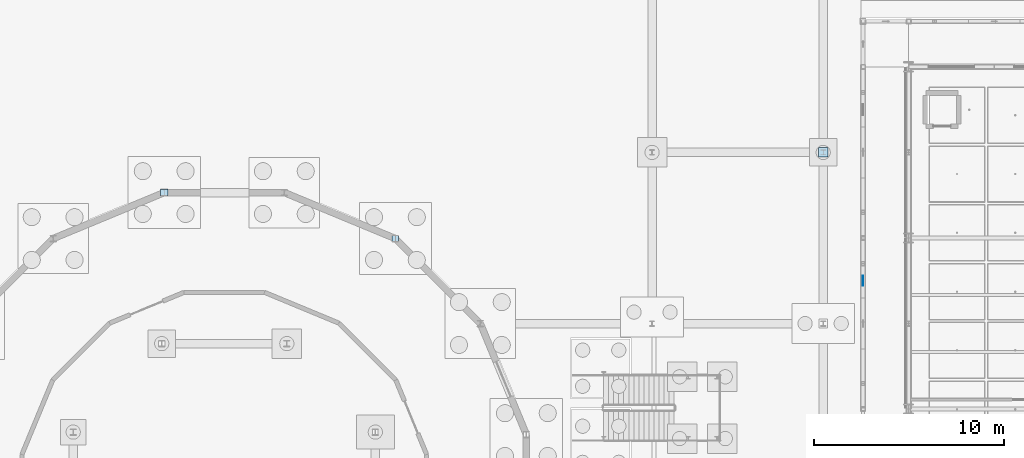
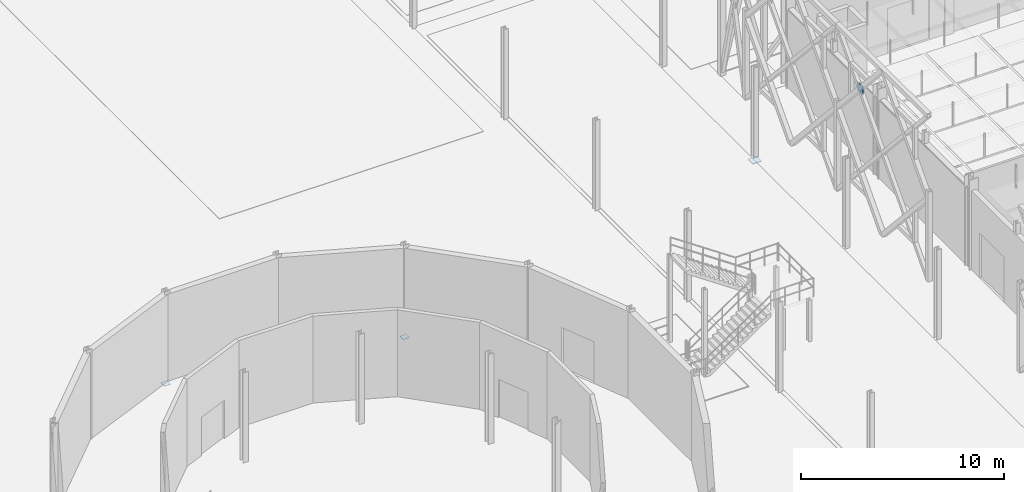
# One storey, part 79 of 180: 4 plates.
"""IFC4 building model written with IfcOpenShell, lengths in metres."""

from ifc_helpers import new_model, si_unit, direction, frame, origin, origin_2d, place, context, subcontext, project, spatial, rectangle, extrude, material, layer, layer_set, type_object, element, save


model = new_model("IFC4")

# Units and contexts
model_context = context("Model", 3, precision=1e-05, world=origin(), true_north=direction((0.0, 1.0)))
body_context = subcontext(model_context, "Body", "Model", "MODEL_VIEW")
ifc_project = project(units=[si_unit("LENGTHUNIT", "METRE"), si_unit("AREAUNIT", "SQUARE_METRE"), si_unit("VOLUMEUNIT", "CUBIC_METRE"), si_unit("PLANEANGLEUNIT", "RADIAN"), si_unit("MASSUNIT", "GRAM", prefix="KILO"), si_unit("THERMODYNAMICTEMPERATUREUNIT", "KELVIN"), si_unit("POWERUNIT", "WATT")], contexts=[model_context])

# Site, building, storey
site_placement = place(None, origin())
site = spatial("IfcSite", under=ifc_project, at=site_placement, CompositionType="ELEMENT")
building_placement = place(site_placement, origin())
building = spatial("IfcBuilding", under=site, at=building_placement, Name="Tallowbark Science Centre", CompositionType="ELEMENT")
storey_placement = place(building_placement, origin())
storey = spatial("IfcBuildingStorey", under=building, at=storey_placement, Name="L00", CompositionType="ELEMENT", Elevation=0.0)

# Plates
ifc_material = material(Name="Structural Steel Grade 300PLUS (300 MPa)", Category="steel")
ifc_layer_1 = layer(ifc_material, 0.013916015625)
ifc_layer_set_1 = layer_set([ifc_layer_1], Name="Structural Steel Grade 300PLUS (300 MPa)")
plate_type_1 = type_object("IfcPlateType", Name="PLT-GUS-14", PredefinedType="SHEET", material=ifc_layer_set_1)
plate_1_placement = place(storey_placement, frame((31.500244140625, 31.4697265625, -0.23974609375), z_axis=(0.0, 0.0, 1.0), x_axis=(1.0, 0.0, 0.0)))
element("IfcPlate", 1, at=plate_1_placement, inside=storey, type_object=plate_type_1, Name="Column Baseplate DRM-P03", PredefinedType="SHEET", context=body_context, shape_type="SweptSolid", body=[
    extrude(rectangle(XDim=0.340087890625, YDim=0.340087890625, at=origin_2d()), origin(), (0.0, 0.0, 1.0), 0.013916015625),
])
ifc_layer_2 = layer(ifc_material, 0.01806640625)
ifc_layer_set_2 = layer_set([ifc_layer_2], Name="Structural Steel Grade 300PLUS (300 MPa)")
plate_type_2 = type_object("IfcPlateType", Name="PLT-GUS-18", PredefinedType="SHEET", material=ifc_layer_set_2)
plate_2_placement = place(storey_placement, frame((19.339599609375, 33.888671875, -0.239990234375), z_axis=(0.0, 0.0, 1.0), x_axis=(1.0, 0.0, 0.0)))
element("IfcPlate", 2, at=plate_2_placement, inside=storey, type_object=plate_type_2, Name="Column Baseplate DRM-P05", PredefinedType="SHEET", context=body_context, shape_type="SweptSolid", body=[
    extrude(rectangle(XDim=0.3798828125, YDim=0.3798828125, at=origin_2d()), origin(), (0.0, 0.0, 1.0), 0.01806640625),
])
ifc_layer_3 = layer(ifc_material, 0.030029296875)
ifc_layer_set_3 = layer_set([ifc_layer_3], Name="Structural Steel Grade 300PLUS (300 MPa)")
plate_type_3 = type_object("IfcPlateType", Name="PLT-GUS-30", PredefinedType="SHEET", material=ifc_layer_set_3)
plate_3_placement = place(storey_placement, frame((54.0, 36.0, -0.26025390625), z_axis=(0.0, 0.0, 1.0), x_axis=(1.0, 0.0, 0.0)))
element("IfcPlate", 3, at=plate_3_placement, inside=storey, type_object=plate_type_3, Name="Column Baseplate PAS-E04", PredefinedType="SHEET", context=body_context, shape_type="SweptSolid", body=[
    extrude(rectangle(XDim=0.5, YDim=0.5, at=origin_2d()), origin(), (0.0, 0.0, 1.0), 0.030029296875),
])
ifc_layer_4 = layer(ifc_material, 0.033935546875)
ifc_layer_set_4 = layer_set([ifc_layer_4], Name="Structural Steel Grade 300PLUS (300 MPa)")
plate_type_4 = type_object("IfcPlateType", Name="PLT-GUS-34", PredefinedType="SHEET", material=ifc_layer_set_4)
plate_4_placement = place(storey_placement, frame((56.10009765625, 29.25, 7.155029296875), z_axis=(0.0, 0.0, 1.0), x_axis=(0.0, 1.0, 0.0)))
element("IfcPlate", 4, at=plate_4_placement, inside=storey, type_object=plate_type_4, Name="Star Primary Chord Crossing Gusset Plate W-13", PredefinedType="SHEET", context=body_context, shape_type="SweptSolid", body=[
    extrude(rectangle(XDim=0.5400390625, YDim=0.033935546875, at=origin_2d()), origin(), (0.0, 0.0, 1.0), 0.5400390625),
])

save(model, "model.ifc")
